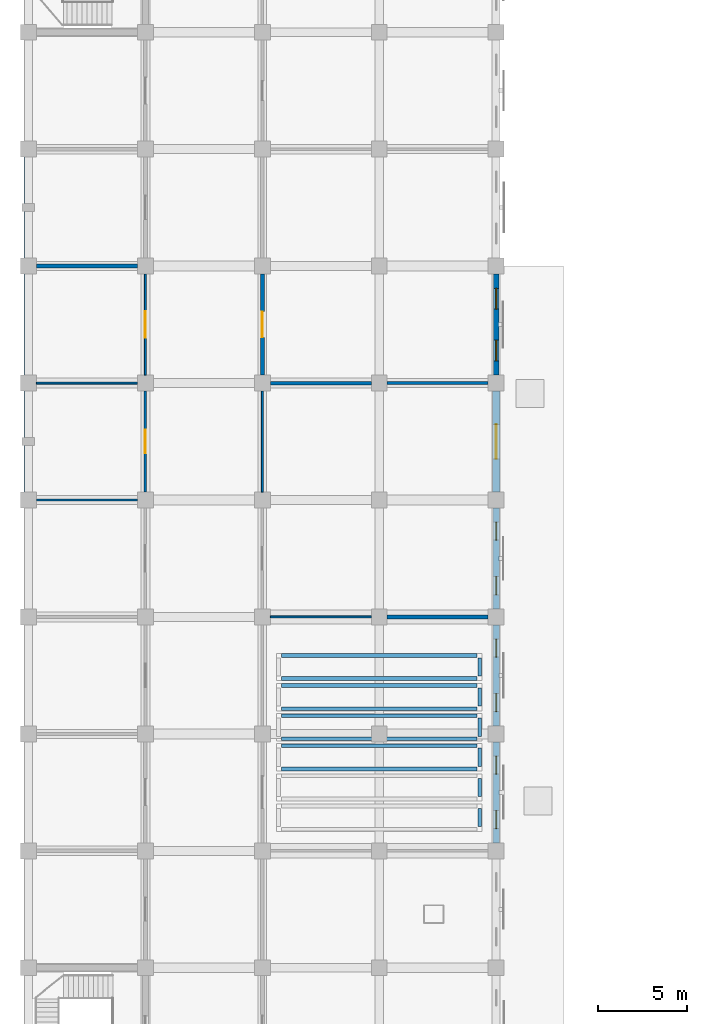
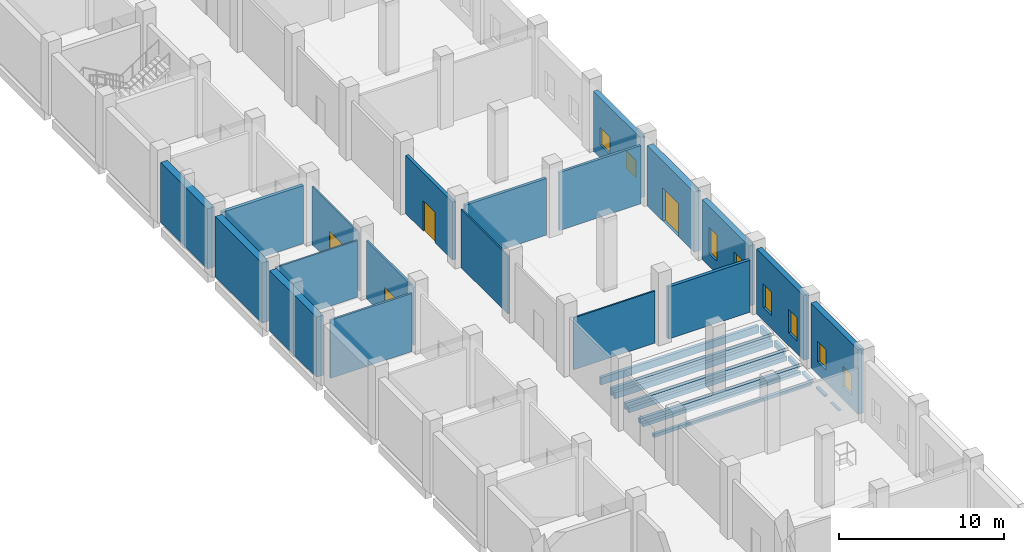
# One storey, part 15 of 28: 33 walls, 8 windows, 4 doors, 12 openings.
"""IFC4 building model written with IfcOpenShell, lengths in metres."""

from ifc_helpers import new_model, si_unit, direction, frame, frame_2d, origin, place, context, subcontext, project, spatial, rectangle, extrude, material, layer, layer_set, type_object, element, fill, save


model = new_model("IFC4")

# Units and contexts
model_context = context("Model", 3, precision=1e-05, world=origin(), true_north=direction((0.0, 1.0)))
body_context = subcontext(model_context, "Body", "Model", "MODEL_VIEW")
ifc_project = project(units=[si_unit("LENGTHUNIT", "METRE"), si_unit("AREAUNIT", "SQUARE_METRE"), si_unit("VOLUMEUNIT", "CUBIC_METRE"), si_unit("PLANEANGLEUNIT", "RADIAN"), si_unit("MASSUNIT", "GRAM", prefix="KILO")], contexts=[model_context])

# Site, building, storey
site_placement = place(None, origin())
site = spatial("IfcSite", under=ifc_project, at=site_placement, CompositionType="ELEMENT")
building_placement = place(site_placement, origin())
building = spatial("IfcBuilding", under=site, at=building_placement, Name="Rusizi Kubbe Research Institute", CompositionType="ELEMENT")
storey_placement = place(building_placement, origin())
storey = spatial("IfcBuildingStorey", under=building, at=storey_placement, Name="L00", CompositionType="ELEMENT", Elevation=0.0)

# Wall, opening, door
ifc_material_1 = material(Name="Volcanic Basalt Ashlar Masonry", Category="masonry")
ifc_layer_1 = layer(ifc_material_1, 0.43994140625)
ifc_layer_set_1 = layer_set([ifc_layer_1], Name="Volcanic Basalt Ashlar Masonry")
wall_type_1 = type_object("IfcWallType", Name="EW-01", PredefinedType="SOLIDWALL", material=ifc_layer_set_1)
wall_1_placement = place(storey_placement, frame((26.39990234375, 99.449951171875, 0.0), z_axis=(0.0, 0.0, 1.0), x_axis=(0.0, 1.0, 0.0)))
wall_1 = element("IfcWall", 1, at=wall_1_placement, inside=storey, type_object=wall_type_1, Name="Portal Vestibule Infill Wall E7", PredefinedType="SOLIDWALL", context=body_context, shape_type="SweptSolid", body=[
    extrude(rectangle(XDim=5.699951171875, YDim=0.43994140625, at=frame_2d((2.85009765625, 0.0))), origin(), (0.0, 0.0, 1.0), 4.449951171875),
])
opening_1_placement = place(wall_1_placement, frame((1.875, 0.0, 0.0)))
opening_1 = element("IfcOpeningElement", 2, at=opening_1_placement, cuts=wall_1, Name="Opening D-32", PredefinedType="OPENING", context=body_context, shape_type="SweptSolid", body=[
    extrude(rectangle(XDim=1.949951171875, YDim=2.449951171875, at=frame_2d((0.97509765625, 1.22509765625))), frame((0.0, 0.22998046875, 0.0), z_axis=(0.0, -1.0, 0.0), x_axis=(1.0, 0.0, 0.0)), (0.0, 0.0, 1.0), 0.4599609375),
])
ifc_material_2 = material(Name="Insulated Steel and Laminated Safety Glass", Category="steel")
door_type_1 = type_object("IfcDoorType", Name="ED-02", OperationType="DOUBLE_DOOR_SINGLE_SWING", PredefinedType="DOOR", material=ifc_material_2)
door_1_placement = place(opening_1_placement, origin())
door_1 = element("IfcDoor", 3, at=door_1_placement, inside=storey, type_object=door_type_1, Name="Pedestrian Exit Cloister North Arcade Door D-32", OperationType="DOUBLE_DOOR_SINGLE_SWING", OverallHeight=2.449951171875, OverallWidth=1.949951171875, PredefinedType="DOOR", context=body_context, shape_type="SweptSolid", body=[
    extrude(rectangle(XDim=1.949951171875, YDim=2.449951171875, at=frame_2d((0.97509765625, 1.22509765625))), frame((0.0, 0.02490234375, 0.0), z_axis=(0.0, -1.0, 0.0), x_axis=(1.0, 0.0, 0.0)), (0.0, 0.0, 1.0), 0.050048828125),
])
fill(opening_1, door_1)

# Wall, openings, windows
ifc_material_3 = material(Name="Volcanic Basalt Ashlar Masonry", Category="masonry")
ifc_layer_2 = layer(ifc_material_3, 0.385009765625)
ifc_layer_set_2 = layer_set([ifc_layer_2], Name="Volcanic Basalt Ashlar Masonry")
wall_type_2 = type_object("IfcWallType", Name="EW-04", PredefinedType="SOLIDWALL", material=ifc_layer_set_2)
wall_2_placement = place(storey_placement, frame((26.39990234375, 79.64990234375, 0.0), z_axis=(0.0, 0.0, 1.0), x_axis=(0.0, 1.0, 0.0)))
wall_2 = element("IfcWall", 4, at=wall_2_placement, inside=storey, type_object=wall_type_2, Name="Ablaq Stone Exterior Wall L00 V4-12", PredefinedType="SOLIDWALL", context=body_context, shape_type="SweptSolid", body=[
    extrude(rectangle(XDim=5.7001953125, YDim=0.385009765625, at=frame_2d((2.85009765625, 0.0))), origin(), (0.0, 0.0, 1.0), 4.800048828125),
])
opening_2_placement = place(wall_2_placement, frame((0.800048828125, 0.0, 0.949951171875)))
opening_2 = element("IfcOpeningElement", 5, at=opening_2_placement, cuts=wall_2, Name="Opening WN-06", PredefinedType="OPENING", context=body_context, shape_type="SweptSolid", body=[
    extrude(rectangle(XDim=1.02001953125, YDim=1.52001953125, at=frame_2d((0.510009765625, 0.760009765625))), frame((0.0, 0.202392578125, 0.0), z_axis=(0.0, -1.0, 0.0), x_axis=(1.0, 0.0, 0.0)), (0.0, 0.0, 1.0), 0.405029296875),
])
opening_3_placement = place(wall_2_placement, frame((3.8798828125, 0.0, 0.949951171875)))
opening_3 = element("IfcOpeningElement", 6, at=opening_3_placement, cuts=wall_2, Name="Opening WN-06", PredefinedType="OPENING", context=body_context, shape_type="SweptSolid", body=[
    extrude(rectangle(XDim=1.02001953125, YDim=1.52001953125, at=frame_2d((0.510009765625, 0.760009765625))), frame((0.0, 0.202392578125, 0.0), z_axis=(0.0, -1.0, 0.0), x_axis=(1.0, 0.0, 0.0)), (0.0, 0.0, 1.0), 0.405029296875),
])
ifc_material_4 = material(Name="Aluminium Frame and Solar-Control Double Glazing", Category="glass")
window_type_1 = type_object("IfcWindowType", Name="WN-06", PartitioningType="SINGLE_PANEL", PredefinedType="WINDOW", material=ifc_material_4)
window_1_placement = place(opening_2_placement, origin())
window_1 = element("IfcWindow", 7, at=window_1_placement, inside=storey, type_object=window_type_1, Name="Casement Window WN-06 L00", OverallHeight=1.52001953125, OverallWidth=1.02001953125, PartitioningType="SINGLE_PANEL", PredefinedType="WINDOW", context=body_context, shape_type="SweptSolid", body=[
    extrude(rectangle(XDim=1.02001953125, YDim=1.52001953125, at=frame_2d((0.510009765625, 0.760009765625))), frame((0.0, 0.030029296875, 0.0), z_axis=(0.0, -1.0, 0.0), x_axis=(1.0, 0.0, 0.0)), (0.0, 0.0, 1.0), 0.06005859375),
])
fill(opening_2, window_1)
window_2_placement = place(opening_3_placement, origin())
window_2 = element("IfcWindow", 8, at=window_2_placement, inside=storey, type_object=window_type_1, Name="Casement Window WN-06 L00", OverallHeight=1.52001953125, OverallWidth=1.02001953125, PartitioningType="SINGLE_PANEL", PredefinedType="WINDOW", context=body_context, shape_type="SweptSolid", body=[
    extrude(rectangle(XDim=1.02001953125, YDim=1.52001953125, at=frame_2d((0.510009765625, 0.760009765625))), frame((0.0, 0.030029296875, 0.0), z_axis=(0.0, -1.0, 0.0), x_axis=(1.0, 0.0, 0.0)), (0.0, 0.0, 1.0), 0.06005859375),
])
fill(opening_3, window_2)

ifc_material_5 = material(Name="Volcanic Basalt Ashlar Masonry", Category="masonry")
ifc_layer_3 = layer(ifc_material_5, 0.3701171875)
ifc_layer_set_3 = layer_set([ifc_layer_3], Name="Volcanic Basalt Ashlar Masonry")
wall_type_3 = type_object("IfcWallType", Name="EW-05", PredefinedType="SOLIDWALL", material=ifc_layer_set_3)
wall_3_placement = place(storey_placement, frame((26.39990234375, 86.25, 0.0), z_axis=(0.0, 0.0, 1.0), x_axis=(0.0, 1.0, 0.0)))
wall_3 = element("IfcWall", 9, at=wall_3_placement, inside=storey, type_object=wall_type_3, Name="Ablaq Stone Exterior Wall L00 V4-13", PredefinedType="SOLIDWALL", context=body_context, shape_type="SweptSolid", body=[
    extrude(rectangle(XDim=5.699951171875, YDim=0.3701171875, at=frame_2d((2.85009765625, 0.0))), origin(), (0.0, 0.0, 1.0), 4.800048828125),
])
opening_4_placement = place(wall_3_placement, frame((0.800048828125, 0.0, 0.949951171875)))
opening_4 = element("IfcOpeningElement", 10, at=opening_4_placement, cuts=wall_3, Name="Opening WN-07", PredefinedType="OPENING", context=body_context, shape_type="SweptSolid", body=[
    extrude(rectangle(XDim=1.02001953125, YDim=1.739990234375, at=frame_2d((0.510009765625, 0.8701171875))), frame((0.0, 0.195068359375, 0.0), z_axis=(0.0, -1.0, 0.0), x_axis=(1.0, 0.0, 0.0)), (0.0, 0.0, 1.0), 0.39013671875),
])
opening_5_placement = place(wall_3_placement, frame((3.8798828125, 0.0, 0.949951171875)))
opening_5 = element("IfcOpeningElement", 11, at=opening_5_placement, cuts=wall_3, Name="Opening WN-07", PredefinedType="OPENING", context=body_context, shape_type="SweptSolid", body=[
    extrude(rectangle(XDim=1.02001953125, YDim=1.739990234375, at=frame_2d((0.510009765625, 0.8701171875))), frame((0.0, 0.195068359375, 0.0), z_axis=(0.0, -1.0, 0.0), x_axis=(1.0, 0.0, 0.0)), (0.0, 0.0, 1.0), 0.39013671875),
])
ifc_material_6 = material(Name="Aluminium Frame and Solar-Control Double Glazing", Category="glass")
window_type_2 = type_object("IfcWindowType", Name="WN-07", PartitioningType="SINGLE_PANEL", PredefinedType="WINDOW", material=ifc_material_6)
window_3_placement = place(opening_4_placement, origin())
window_3 = element("IfcWindow", 12, at=window_3_placement, inside=storey, type_object=window_type_2, Name="Casement Window WN-07 L00", OverallHeight=1.739990234375, OverallWidth=1.02001953125, PartitioningType="SINGLE_PANEL", PredefinedType="WINDOW", context=body_context, shape_type="SweptSolid", body=[
    extrude(rectangle(XDim=1.02001953125, YDim=1.739990234375, at=frame_2d((0.510009765625, 0.8701171875))), frame((0.0, 0.030029296875, 0.0), z_axis=(0.0, -1.0, 0.0), x_axis=(1.0, 0.0, 0.0)), (0.0, 0.0, 1.0), 0.06005859375),
])
fill(opening_4, window_3)
window_4_placement = place(opening_5_placement, origin())
window_4 = element("IfcWindow", 13, at=window_4_placement, inside=storey, type_object=window_type_2, Name="Casement Window WN-07 L00", OverallHeight=1.739990234375, OverallWidth=1.02001953125, PartitioningType="SINGLE_PANEL", PredefinedType="WINDOW", context=body_context, shape_type="SweptSolid", body=[
    extrude(rectangle(XDim=1.02001953125, YDim=1.739990234375, at=frame_2d((0.510009765625, 0.8701171875))), frame((0.0, 0.030029296875, 0.0), z_axis=(0.0, -1.0, 0.0), x_axis=(1.0, 0.0, 0.0)), (0.0, 0.0, 1.0), 0.06005859375),
])
fill(opening_5, window_4)

ifc_material_7 = material(Name="Volcanic Basalt Ashlar Masonry", Category="masonry")
ifc_layer_4 = layer(ifc_material_7, 0.35498046875)
ifc_layer_set_4 = layer_set([ifc_layer_4], Name="Volcanic Basalt Ashlar Masonry")
wall_type_4 = type_object("IfcWallType", Name="EW-06", PredefinedType="SOLIDWALL", material=ifc_layer_set_4)
wall_4_placement = place(storey_placement, frame((26.39990234375, 92.85009765625, 0.0), z_axis=(0.0, 0.0, 1.0), x_axis=(0.0, 1.0, 0.0)))
wall_4 = element("IfcWall", 14, at=wall_4_placement, inside=storey, type_object=wall_type_4, Name="Ablaq Stone Exterior Wall L00 V4-14", PredefinedType="SOLIDWALL", context=body_context, shape_type="SweptSolid", body=[
    extrude(rectangle(XDim=5.699951171875, YDim=0.35498046875, at=frame_2d((2.85009765625, 0.0))), origin(), (0.0, 0.0, 1.0), 4.449951171875),
])
opening_6_placement = place(wall_4_placement, frame((0.800048828125, 0.0, 0.949951171875)))
opening_6 = element("IfcOpeningElement", 15, at=opening_6_placement, cuts=wall_4, Name="Opening WN-08", PredefinedType="OPENING", context=body_context, shape_type="SweptSolid", body=[
    extrude(rectangle(XDim=1.02001953125, YDim=1.9599609375, at=frame_2d((0.510009765625, 0.97998046875))), frame((0.0, 0.1875, 0.0), z_axis=(0.0, -1.0, 0.0), x_axis=(1.0, 0.0, 0.0)), (0.0, 0.0, 1.0), 0.375),
])
opening_7_placement = place(wall_4_placement, frame((3.8798828125, 0.0, 0.949951171875)))
opening_7 = element("IfcOpeningElement", 16, at=opening_7_placement, cuts=wall_4, Name="Opening WN-08", PredefinedType="OPENING", context=body_context, shape_type="SweptSolid", body=[
    extrude(rectangle(XDim=1.02001953125, YDim=1.9599609375, at=frame_2d((0.510009765625, 0.97998046875))), frame((0.0, 0.1875, 0.0), z_axis=(0.0, -1.0, 0.0), x_axis=(1.0, 0.0, 0.0)), (0.0, 0.0, 1.0), 0.375),
])
ifc_material_8 = material(Name="Aluminium Frame and Solar-Control Double Glazing", Category="glass")
window_type_3 = type_object("IfcWindowType", Name="WN-08", PartitioningType="SINGLE_PANEL", PredefinedType="WINDOW", material=ifc_material_8)
window_5_placement = place(opening_6_placement, origin())
window_5 = element("IfcWindow", 17, at=window_5_placement, inside=storey, type_object=window_type_3, Name="Casement Window WN-08 L00", OverallHeight=1.9599609375, OverallWidth=1.02001953125, PartitioningType="SINGLE_PANEL", PredefinedType="WINDOW", context=body_context, shape_type="SweptSolid", body=[
    extrude(rectangle(XDim=1.02001953125, YDim=1.9599609375, at=frame_2d((0.510009765625, 0.97998046875))), frame((0.0, 0.030029296875, 0.0), z_axis=(0.0, -1.0, 0.0), x_axis=(1.0, 0.0, 0.0)), (0.0, 0.0, 1.0), 0.06005859375),
])
fill(opening_6, window_5)
window_6_placement = place(opening_7_placement, origin())
window_6 = element("IfcWindow", 18, at=window_6_placement, inside=storey, type_object=window_type_3, Name="Casement Window WN-08 L00", OverallHeight=1.9599609375, OverallWidth=1.02001953125, PartitioningType="SINGLE_PANEL", PredefinedType="WINDOW", context=body_context, shape_type="SweptSolid", body=[
    extrude(rectangle(XDim=1.02001953125, YDim=1.9599609375, at=frame_2d((0.510009765625, 0.97998046875))), frame((0.0, 0.030029296875, 0.0), z_axis=(0.0, -1.0, 0.0), x_axis=(1.0, 0.0, 0.0)), (0.0, 0.0, 1.0), 0.06005859375),
])
fill(opening_7, window_6)

ifc_material_9 = material(Name="Volcanic Basalt Ashlar Masonry", Category="masonry")
ifc_layer_5 = layer(ifc_material_9, 0.324951171875)
ifc_layer_set_5 = layer_set([ifc_layer_5], Name="Volcanic Basalt Ashlar Masonry")
wall_type_5 = type_object("IfcWallType", Name="EW-08", PredefinedType="SOLIDWALL", material=ifc_layer_set_5)
wall_5_placement = place(storey_placement, frame((26.39990234375, 106.050048828125, 0.0), z_axis=(0.0, 0.0, 1.0), x_axis=(0.0, 1.0, 0.0)))
wall_5 = element("IfcWall", 19, at=wall_5_placement, inside=storey, type_object=wall_type_5, Name="Ablaq Stone Exterior Wall L00 V4-16", PredefinedType="SOLIDWALL", context=body_context, shape_type="SweptSolid", body=[
    extrude(rectangle(XDim=5.699951171875, YDim=0.324951171875, at=frame_2d((2.85009765625, 0.0))), origin(), (0.0, 0.0, 1.0), 4.449951171875),
])
opening_8_placement = place(wall_5_placement, frame((0.800048828125, 0.0, 0.949951171875)))
opening_8 = element("IfcOpeningElement", 20, at=opening_8_placement, cuts=wall_5, Name="Opening WN-09", PredefinedType="OPENING", context=body_context, shape_type="SweptSolid", body=[
    extrude(rectangle(XDim=1.179931640625, YDim=1.300048828125, at=frame_2d((0.58984375, 0.64990234375))), frame((0.0, 0.17236328125, 0.0), z_axis=(0.0, -1.0, 0.0), x_axis=(1.0, 0.0, 0.0)), (0.0, 0.0, 1.0), 0.344970703125),
])
opening_9_placement = place(wall_5_placement, frame((3.719970703125, 0.0, 0.949951171875)))
opening_9 = element("IfcOpeningElement", 21, at=opening_9_placement, cuts=wall_5, Name="Opening WN-09", PredefinedType="OPENING", context=body_context, shape_type="SweptSolid", body=[
    extrude(rectangle(XDim=1.179931640625, YDim=1.300048828125, at=frame_2d((0.58984375, 0.64990234375))), frame((0.0, 0.17236328125, 0.0), z_axis=(0.0, -1.0, 0.0), x_axis=(1.0, 0.0, 0.0)), (0.0, 0.0, 1.0), 0.344970703125),
])
ifc_material_10 = material(Name="Aluminium Frame and Solar-Control Double Glazing", Category="glass")
window_type_4 = type_object("IfcWindowType", Name="WN-09", PartitioningType="SINGLE_PANEL", PredefinedType="WINDOW", material=ifc_material_10)
window_7_placement = place(opening_8_placement, origin())
window_7 = element("IfcWindow", 22, at=window_7_placement, inside=storey, type_object=window_type_4, Name="Casement Window WN-09 L00", OverallHeight=1.300048828125, OverallWidth=1.179931640625, PartitioningType="SINGLE_PANEL", PredefinedType="WINDOW", context=body_context, shape_type="SweptSolid", body=[
    extrude(rectangle(XDim=1.179931640625, YDim=1.300048828125, at=frame_2d((0.58984375, 0.64990234375))), frame((0.0, 0.030029296875, 0.0), z_axis=(0.0, -1.0, 0.0), x_axis=(1.0, 0.0, 0.0)), (0.0, 0.0, 1.0), 0.06005859375),
])
fill(opening_8, window_7)
window_8_placement = place(opening_9_placement, origin())
window_8 = element("IfcWindow", 23, at=window_8_placement, inside=storey, type_object=window_type_4, Name="Casement Window WN-09 L00", OverallHeight=1.300048828125, OverallWidth=1.179931640625, PartitioningType="SINGLE_PANEL", PredefinedType="WINDOW", context=body_context, shape_type="SweptSolid", body=[
    extrude(rectangle(XDim=1.179931640625, YDim=1.300048828125, at=frame_2d((0.58984375, 0.64990234375))), frame((0.0, 0.030029296875, 0.0), z_axis=(0.0, -1.0, 0.0), x_axis=(1.0, 0.0, 0.0)), (0.0, 0.0, 1.0), 0.06005859375),
])
fill(opening_9, window_8)

# Wall
ifc_material_11 = material(Name="Concrete Blockwork Fire Partition", Category="masonry")
ifc_layer_6 = layer(ifc_material_11, 0.22509765625)
ifc_layer_set_6 = layer_set([ifc_layer_6], Name="Concrete Blockwork Fire Partition")
wall_type_6 = type_object("IfcWallType", Name="IW-01", PredefinedType="PARTITIONING", material=ifc_layer_set_6)
wall_6_placement = place(storey_placement, frame((0.449951171875, 112.199951171875, 0.0), z_axis=(0.0, 0.0, 1.0), x_axis=(1.0, 0.0, 0.0)))
element("IfcWall", 24, at=wall_6_placement, inside=storey, type_object=wall_type_6, Name="Interior Partition Wall L00 H0-17", PredefinedType="PARTITIONING", context=body_context, shape_type="SweptSolid", body=[
    extrude(rectangle(XDim=5.699951171875, YDim=0.22509765625, at=frame_2d((2.85009765625, 0.0))), origin(), (0.0, 0.0, 1.0), 4.300048828125),
])

# Wall, opening, door
wall_7_placement = place(storey_placement, frame((13.199951171875, 106.050048828125, 0.0), z_axis=(0.0, 0.0, 1.0), x_axis=(0.0, 1.0, 0.0)))
wall_7 = element("IfcWall", 25, at=wall_7_placement, inside=storey, type_object=wall_type_6, Name="Interior Partition Wall L00 V2-16", PredefinedType="PARTITIONING", context=body_context, shape_type="SweptSolid", body=[
    extrude(rectangle(XDim=5.699951171875, YDim=0.22509765625, at=frame_2d((2.85009765625, 0.0))), origin(), (0.0, 0.0, 1.0), 4.300048828125),
])
opening_10_placement = place(wall_7_placement, frame((2.125, 0.0, 0.0)))
opening_10 = element("IfcOpeningElement", 26, at=opening_10_placement, cuts=wall_7, Name="Opening D-11", PredefinedType="OPENING", context=body_context, shape_type="SweptSolid", body=[
    extrude(rectangle(XDim=1.449951171875, YDim=2.25, at=frame_2d((0.72509765625, 1.125))), frame((0.0, 0.12255859375, 0.0), z_axis=(0.0, -1.0, 0.0), x_axis=(1.0, 0.0, 0.0)), (0.0, 0.0, 1.0), 0.2451171875),
])
ifc_material_12 = material(Name="Fire-Rated Steel Frame and Acoustic Timber Leaf", Category="wood")
door_type_2 = type_object("IfcDoorType", Name="ID-LAB-145", OperationType="NOTDEFINED", PredefinedType="DOOR", material=ifc_material_12)
door_2_placement = place(opening_10_placement, origin())
door_2 = element("IfcDoor", 27, at=door_2_placement, inside=storey, type_object=door_type_2, Name="Door to Computational Dry Laboratory (L00-NW-07)", OperationType="SINGLE_SWING_LEFT", OverallHeight=2.25, OverallWidth=1.449951171875, PredefinedType="DOOR", context=body_context, shape_type="SweptSolid", body=[
    extrude(rectangle(XDim=1.449951171875, YDim=2.25, at=frame_2d((0.72509765625, 1.125))), frame((0.0, 0.02490234375, 0.0), z_axis=(0.0, -1.0, 0.0), x_axis=(1.0, 0.0, 0.0)), (0.0, 0.0, 1.0), 0.050048828125),
])
fill(opening_10, door_2)

# Walls
wall_8_placement = place(storey_placement, frame((20.25, 92.39990234375, 0.0), z_axis=(0.0, 0.0, 1.0), x_axis=(1.0, 0.0, 0.0)))
element("IfcWall", 28, at=wall_8_placement, inside=storey, type_object=wall_type_6, Name="Interior Partition Wall L00 H3-14", PredefinedType="PARTITIONING", context=body_context, shape_type="SweptSolid", body=[
    extrude(rectangle(XDim=5.699951171875, YDim=0.22509765625, at=frame_2d((2.85009765625, 0.0))), origin(), (0.0, 0.0, 1.0), 3.85009765625),
])
ifc_material_13 = material(Name="Insulated Cleanroom Partition", Category="masonry")
ifc_layer_7 = layer(ifc_material_13, 0.195068359375)
ifc_layer_set_7 = layer_set([ifc_layer_7], Name="Insulated Cleanroom Partition")
wall_type_7 = type_object("IfcWallType", Name="IW-02", PredefinedType="PARTITIONING", material=ifc_layer_set_7)
wall_9_placement = place(storey_placement, frame((13.64990234375, 105.60009765625, 0.0), z_axis=(0.0, 0.0, 1.0), x_axis=(1.0, 0.0, 0.0)))
element("IfcWall", 29, at=wall_9_placement, inside=storey, type_object=wall_type_7, Name="Interior Partition Wall L00 H2-16", PredefinedType="PARTITIONING", context=body_context, shape_type="SweptSolid", body=[
    extrude(rectangle(XDim=5.7001953125, YDim=0.195068359375, at=frame_2d((2.85009765625, 0.0))), origin(), (0.0, 0.0, 1.0), 4.199951171875),
])
ifc_material_14 = material(Name="Acoustic Laboratory Partition", Category="masonry")
ifc_layer_8 = layer(ifc_material_14, 0.175048828125)
ifc_layer_set_8 = layer_set([ifc_layer_8], Name="Acoustic Laboratory Partition")
wall_type_8 = type_object("IfcWallType", Name="IW-03", PredefinedType="PARTITIONING", material=ifc_layer_set_8)
wall_10_placement = place(storey_placement, frame((20.25, 105.60009765625, 0.0), z_axis=(0.0, 0.0, 1.0), x_axis=(1.0, 0.0, 0.0)))
element("IfcWall", 30, at=wall_10_placement, inside=storey, type_object=wall_type_8, Name="Interior Partition Wall L00 H3-16", PredefinedType="PARTITIONING", context=body_context, shape_type="SweptSolid", body=[
    extrude(rectangle(XDim=5.699951171875, YDim=0.175048828125, at=frame_2d((2.85009765625, 0.0))), origin(), (0.0, 0.0, 1.0), 4.300048828125),
])
ifc_material_15 = material(Name="Write-up Glazed Acoustic Partition", Category="masonry")
ifc_layer_9 = layer(ifc_material_15, 0.139892578125)
ifc_layer_set_9 = layer_set([ifc_layer_9], Name="Write-up Glazed Acoustic Partition")
wall_type_9 = type_object("IfcWallType", Name="IW-05", PredefinedType="PARTITIONING", material=ifc_layer_set_9)
wall_11_placement = place(storey_placement, frame((0.449951171875, 99.0, 0.0), z_axis=(0.0, 0.0, 1.0), x_axis=(1.0, 0.0, 0.0)))
element("IfcWall", 31, at=wall_11_placement, inside=storey, type_object=wall_type_9, Name="Interior Partition Wall L00 H0-15", PredefinedType="PARTITIONING", context=body_context, shape_type="SweptSolid", body=[
    extrude(rectangle(XDim=5.699951171875, YDim=0.139892578125, at=frame_2d((2.85009765625, 0.0))), origin(), (0.0, 0.0, 1.0), 4.300048828125),
])

# Wall, opening, door
wall_12_placement = place(storey_placement, frame((6.60009765625, 99.449951171875, 0.0), z_axis=(0.0, 0.0, 1.0), x_axis=(0.0, 1.0, 0.0)))
wall_12 = element("IfcWall", 32, at=wall_12_placement, inside=storey, type_object=wall_type_9, Name="Interior Partition Wall L00 V1-15", PredefinedType="PARTITIONING", context=body_context, shape_type="SweptSolid", body=[
    extrude(rectangle(XDim=5.699951171875, YDim=0.139892578125, at=frame_2d((2.85009765625, 0.0))), origin(), (0.0, 0.0, 1.0), 4.300048828125),
])
opening_11_placement = place(wall_12_placement, frame((2.18994140625, 0.0, 0.0)))
opening_11 = element("IfcOpeningElement", 33, at=opening_11_placement, cuts=wall_12, Name="Opening LD-07", PredefinedType="OPENING", context=body_context, shape_type="SweptSolid", body=[
    extrude(rectangle(XDim=1.320068359375, YDim=2.199951171875, at=frame_2d((0.66015625, 1.10009765625))), frame((0.0, 0.079833984375, 0.0), z_axis=(0.0, -1.0, 0.0), x_axis=(1.0, 0.0, 0.0)), (0.0, 0.0, 1.0), 0.159912109375),
])
ifc_material_16 = material(Name="Brushed Stainless Steel Sliding Door", Category="steel")
door_type_3 = type_object("IfcDoorType", Name="LD-07", OperationType="DOUBLE_DOOR_SLIDING", PredefinedType="USERDEFINED", material=ifc_material_16)
door_3_placement = place(opening_11_placement, origin())
door_3 = element("IfcDoor", 34, at=door_3_placement, inside=storey, type_object=door_type_3, Name="Door to Clean Room Gowning Airlock (L00-ALK-15)", ObjectType="SLIDING DOOR", OperationType="DOUBLE_DOOR_SLIDING", OverallHeight=2.199951171875, OverallWidth=1.320068359375, PredefinedType="USERDEFINED", context=body_context, shape_type="SweptSolid", body=[
    extrude(rectangle(XDim=1.320068359375, YDim=2.199951171875, at=frame_2d((0.66015625, 1.10009765625))), frame((0.0, 0.02490234375, 0.0), z_axis=(0.0, -1.0, 0.0), x_axis=(1.0, 0.0, 0.0)), (0.0, 0.0, 1.0), 0.050048828125),
])
fill(opening_11, door_3)

# Wall
ifc_material_17 = material(Name="Sub-Suite Fire Partition", Category="masonry")
ifc_layer_10 = layer(ifc_material_17, 0.110107421875)
ifc_layer_set_10 = layer_set([ifc_layer_10], Name="Sub-Suite Fire Partition")
wall_type_10 = type_object("IfcWallType", Name="IW-07", PredefinedType="PARTITIONING", material=ifc_layer_set_10)
wall_13_placement = place(storey_placement, frame((0.449951171875, 105.60009765625, 0.0), z_axis=(0.0, 0.0, 1.0), x_axis=(1.0, 0.0, 0.0)))
element("IfcWall", 35, at=wall_13_placement, inside=storey, type_object=wall_type_10, Name="Interior Partition Wall L00 H0-16", PredefinedType="PARTITIONING", context=body_context, shape_type="SweptSolid", body=[
    extrude(rectangle(XDim=5.699951171875, YDim=0.110107421875, at=frame_2d((2.85009765625, 0.0))), origin(), (0.0, 0.0, 1.0), 4.199951171875),
])

# Wall, opening, door
wall_14_placement = place(storey_placement, frame((6.60009765625, 106.050048828125, 0.0), z_axis=(0.0, 0.0, 1.0), x_axis=(0.0, 1.0, 0.0)))
wall_14 = element("IfcWall", 36, at=wall_14_placement, inside=storey, type_object=wall_type_10, Name="Interior Partition Wall L00 V1-16", PredefinedType="PARTITIONING", context=body_context, shape_type="SweptSolid", body=[
    extrude(rectangle(XDim=5.699951171875, YDim=0.110107421875, at=frame_2d((2.85009765625, 0.0))), origin(), (0.0, 0.0, 1.0), 4.300048828125),
])
opening_12_placement = place(wall_14_placement, frame((2.110107421875, 0.0, 0.0)))
opening_12 = element("IfcOpeningElement", 37, at=opening_12_placement, cuts=wall_14, Name="Opening LD-08", PredefinedType="OPENING", context=body_context, shape_type="SweptSolid", body=[
    extrude(rectangle(XDim=1.47998046875, YDim=2.25, at=frame_2d((0.739990234375, 1.125))), frame((0.0, 0.06494140625, 0.0), z_axis=(0.0, -1.0, 0.0), x_axis=(1.0, 0.0, 0.0)), (0.0, 0.0, 1.0), 0.130126953125),
])
ifc_material_18 = material(Name="Brushed Stainless Steel Sliding Door", Category="steel")
door_type_4 = type_object("IfcDoorType", Name="LD-08", OperationType="DOUBLE_DOOR_SLIDING", PredefinedType="USERDEFINED", material=ifc_material_18)
door_4_placement = place(opening_12_placement, origin())
door_4 = element("IfcDoor", 38, at=door_4_placement, inside=storey, type_object=door_type_4, Name="Door to ISO-6 Clean Room Suite (L00-CR-16)", ObjectType="SLIDING DOOR", OperationType="DOUBLE_DOOR_SLIDING", OverallHeight=2.25, OverallWidth=1.47998046875, PredefinedType="USERDEFINED", context=body_context, shape_type="SweptSolid", body=[
    extrude(rectangle(XDim=1.47998046875, YDim=2.25, at=frame_2d((0.739990234375, 1.125))), frame((0.0, 0.02490234375, 0.0), z_axis=(0.0, -1.0, 0.0), x_axis=(1.0, 0.0, 0.0)), (0.0, 0.0, 1.0), 0.050048828125),
])
fill(opening_12, door_4)

# Walls
wall_15_placement = place(storey_placement, frame((13.199951171875, 99.449951171875, 0.0), z_axis=(0.0, 0.0, 1.0), x_axis=(0.0, 1.0, 0.0)))
element("IfcWall", 39, at=wall_15_placement, inside=storey, type_object=wall_type_10, Name="Interior Partition Wall L00 V2-15", PredefinedType="PARTITIONING", context=body_context, shape_type="SweptSolid", body=[
    extrude(rectangle(XDim=5.699951171875, YDim=0.110107421875, at=frame_2d((2.85009765625, 0.0))), origin(), (0.0, 0.0, 1.0), 4.300048828125),
])
wall_16_placement = place(storey_placement, frame((13.64990234375, 92.39990234375, 0.0), z_axis=(0.0, 0.0, 1.0), x_axis=(1.0, 0.0, 0.0)))
element("IfcWall", 40, at=wall_16_placement, inside=storey, type_object=wall_type_10, Name="Interior Partition Wall L00 H2-14", PredefinedType="PARTITIONING", context=body_context, shape_type="SweptSolid", body=[
    extrude(rectangle(XDim=5.7001953125, YDim=0.110107421875, at=frame_2d((2.85009765625, 0.0))), origin(), (0.0, 0.0, 1.0), 3.85009765625),
])
ifc_material_19 = material(Name="Concrete C40/50", Category="concrete")
ifc_layer_11 = layer(ifc_material_19, 0.47998046875)
ifc_layer_set_11 = layer_set([ifc_layer_11], Name="Concrete C40/50")
wall_type_11 = type_object("IfcWallType", Name="PW-01", PredefinedType="SOLIDWALL", material=ifc_layer_set_11)
for number, where, z_axis, x_axis, name in (
    (41, (0.0, 99.449951171875, 0.0), (0.0, 0.0, 1.0), (0.0, 1.0, 0.0), "Blind Party Wall L00 V0-15"),
    (42, (0.0, 106.050048828125, 0.0), (0.0, 0.0, 1.0), (0.0, 1.0, 0.0), "Blind Party Wall L00 V0-16"),
):
    element("IfcWall", number, at=place(storey_placement, frame(where, z_axis=z_axis, x_axis=x_axis)), inside=storey, type_object=wall_type_11, Name=name, PredefinedType="SOLIDWALL", context=body_context, shape_type="SweptSolid", body=[
        extrude(rectangle(XDim=5.699951171875, YDim=0.47998046875, at=frame_2d((2.85009765625, 0.0))), origin(), (0.0, 0.0, 1.0), 4.449951171875),
    ])
wall_17_placement = place(storey_placement, frame((0.0, 112.64990234375, 0.0), z_axis=(0.0, 0.0, 1.0), x_axis=(0.0, 1.0, 0.0)))
element("IfcWall", 43, at=wall_17_placement, inside=storey, type_object=wall_type_11, Name="Blind Party Wall L00 V0-17", PredefinedType="SOLIDWALL", context=body_context, shape_type="SweptSolid", body=[
    extrude(rectangle(XDim=5.7001953125, YDim=0.47998046875, at=frame_2d((2.85009765625, 0.0))), origin(), (0.0, 0.0, 1.0), 4.449951171875),
])
ifc_material_20 = material(Name="Concrete C40/50", Category="concrete")
ifc_layer_12 = layer(ifc_material_20, 0.2099609375)
ifc_layer_set_12 = layer_set([ifc_layer_12], Name="Concrete C40/50")
wall_type_12 = type_object("IfcWallType", Name="RW-ISTEP210", PredefinedType="SOLIDWALL", material=ifc_layer_set_12)
wall_18_placement = place(storey_placement, frame((25.47998046875, 80.56005859375, 0.0), z_axis=(0.0, 0.0, 1.0), x_axis=(0.0, 1.0, 0.0)))
element("IfcWall", 44, at=wall_18_placement, inside=storey, type_object=wall_type_12, Name="Lecture Platform Cheek Wall 1E", PredefinedType="SOLIDWALL", context=body_context, shape_type="SweptSolid", body=[
    extrude(rectangle(XDim=1.030029296875, YDim=0.2099609375, at=frame_2d((0.51513671875, 0.0))), origin(), (0.0, 0.0, 1.0), 0.02001953125),
])
wall_19_placement = place(storey_placement, frame((25.47998046875, 82.260009765625, 0.0), z_axis=(0.0, 0.0, 1.0), x_axis=(0.0, 1.0, 0.0)))
element("IfcWall", 45, at=wall_19_placement, inside=storey, type_object=wall_type_12, Name="Lecture Platform Cheek Wall 2E", PredefinedType="SOLIDWALL", context=body_context, shape_type="SweptSolid", body=[
    extrude(rectangle(XDim=1.030029296875, YDim=0.2099609375, at=frame_2d((0.51513671875, 0.0))), origin(), (0.0, 0.0, 1.0), 0.1298828125),
])
for number, where, z_axis, x_axis, name in (
    (46, (14.280029296875, 83.820068359375, 0.0), (0.0, 0.0, 1.0), (1.0, 0.0, 0.0), "Lecture Platform Bearing Wall 3S"),
    (47, (14.280029296875, 85.1298828125, 0.0), (0.0, 0.0, 1.0), (1.0, 0.0, 0.0), "Lecture Platform Bearing Wall 3N"),
):
    element("IfcWall", number, at=place(storey_placement, frame(where, z_axis=z_axis, x_axis=x_axis)), inside=storey, type_object=wall_type_12, Name=name, PredefinedType="SOLIDWALL", context=body_context, shape_type="SweptSolid", body=[
        extrude(rectangle(XDim=11.0400390625, YDim=0.2099609375, at=frame_2d((5.52001953125, 0.0))), origin(), (0.0, 0.0, 1.0), 0.239990234375),
    ])
wall_20_placement = place(storey_placement, frame((25.47998046875, 83.9599609375, 0.0), z_axis=(0.0, 0.0, 1.0), x_axis=(0.0, 1.0, 0.0)))
element("IfcWall", 48, at=wall_20_placement, inside=storey, type_object=wall_type_12, Name="Lecture Platform Cheek Wall 3E", PredefinedType="SOLIDWALL", context=body_context, shape_type="SweptSolid", body=[
    extrude(rectangle(XDim=1.030029296875, YDim=0.2099609375, at=frame_2d((0.51513671875, 0.0))), origin(), (0.0, 0.0, 1.0), 0.239990234375),
])
for number, where, z_axis, x_axis, name in (
    (49, (14.280029296875, 85.52001953125, 0.0), (0.0, 0.0, 1.0), (1.0, 0.0, 0.0), "Lecture Platform Bearing Wall 4S"),
    (50, (14.280029296875, 86.830078125, 0.0), (0.0, 0.0, 1.0), (1.0, 0.0, 0.0), "Lecture Platform Bearing Wall 4N"),
):
    element("IfcWall", number, at=place(storey_placement, frame(where, z_axis=z_axis, x_axis=x_axis)), inside=storey, type_object=wall_type_12, Name=name, PredefinedType="SOLIDWALL", context=body_context, shape_type="SweptSolid", body=[
        extrude(rectangle(XDim=11.0400390625, YDim=0.2099609375, at=frame_2d((5.52001953125, 0.0))), origin(), (0.0, 0.0, 1.0), 0.35009765625),
    ])
wall_21_placement = place(storey_placement, frame((25.47998046875, 85.659912109375, 0.0), z_axis=(0.0, 0.0, 1.0), x_axis=(0.0, 1.0, 0.0)))
element("IfcWall", 51, at=wall_21_placement, inside=storey, type_object=wall_type_12, Name="Lecture Platform Cheek Wall 4E", PredefinedType="SOLIDWALL", context=body_context, shape_type="SweptSolid", body=[
    extrude(rectangle(XDim=1.030029296875, YDim=0.2099609375, at=frame_2d((0.51513671875, 0.0))), origin(), (0.0, 0.0, 1.0), 0.35009765625),
])
for number, where, z_axis, x_axis, name in (
    (52, (14.280029296875, 87.219970703125, 0.0), (0.0, 0.0, 1.0), (1.0, 0.0, 0.0), "Lecture Platform Bearing Wall 5S"),
    (53, (14.280029296875, 88.530029296875, 0.0), (0.0, 0.0, 1.0), (1.0, 0.0, 0.0), "Lecture Platform Bearing Wall 5N"),
):
    element("IfcWall", number, at=place(storey_placement, frame(where, z_axis=z_axis, x_axis=x_axis)), inside=storey, type_object=wall_type_12, Name=name, PredefinedType="SOLIDWALL", context=body_context, shape_type="SweptSolid", body=[
        extrude(rectangle(XDim=11.0400390625, YDim=0.2099609375, at=frame_2d((5.52001953125, 0.0))), origin(), (0.0, 0.0, 1.0), 0.4599609375),
    ])
wall_22_placement = place(storey_placement, frame((25.47998046875, 87.360107421875, 0.0), z_axis=(0.0, 0.0, 1.0), x_axis=(0.0, 1.0, 0.0)))
element("IfcWall", 54, at=wall_22_placement, inside=storey, type_object=wall_type_12, Name="Lecture Platform Cheek Wall 5E", PredefinedType="SOLIDWALL", context=body_context, shape_type="SweptSolid", body=[
    extrude(rectangle(XDim=1.02978515625, YDim=0.2099609375, at=frame_2d((0.514892578125, 0.0))), origin(), (0.0, 0.0, 1.0), 0.4599609375),
])
for number, where, z_axis, x_axis, name in (
    (55, (14.280029296875, 88.919921875, 0.0), (0.0, 0.0, 1.0), (1.0, 0.0, 0.0), "Lecture Platform Bearing Wall 6S"),
    (56, (14.280029296875, 90.22998046875, 0.0), (0.0, 0.0, 1.0), (1.0, 0.0, 0.0), "Lecture Platform Bearing Wall 6N"),
):
    element("IfcWall", number, at=place(storey_placement, frame(where, z_axis=z_axis, x_axis=x_axis)), inside=storey, type_object=wall_type_12, Name=name, PredefinedType="SOLIDWALL", context=body_context, shape_type="SweptSolid", body=[
        extrude(rectangle(XDim=11.0400390625, YDim=0.2099609375, at=frame_2d((5.52001953125, 0.0))), origin(), (0.0, 0.0, 1.0), 0.5400390625),
    ])
wall_23_placement = place(storey_placement, frame((25.47998046875, 89.06005859375, 0.0), z_axis=(0.0, 0.0, 1.0), x_axis=(0.0, 1.0, 0.0)))
element("IfcWall", 57, at=wall_23_placement, inside=storey, type_object=wall_type_12, Name="Lecture Platform Cheek Wall 6E", PredefinedType="SOLIDWALL", context=body_context, shape_type="SweptSolid", body=[
    extrude(rectangle(XDim=1.030029296875, YDim=0.2099609375, at=frame_2d((0.51513671875, 0.0))), origin(), (0.0, 0.0, 1.0), 0.5400390625),
])

save(model, "model.ifc")
